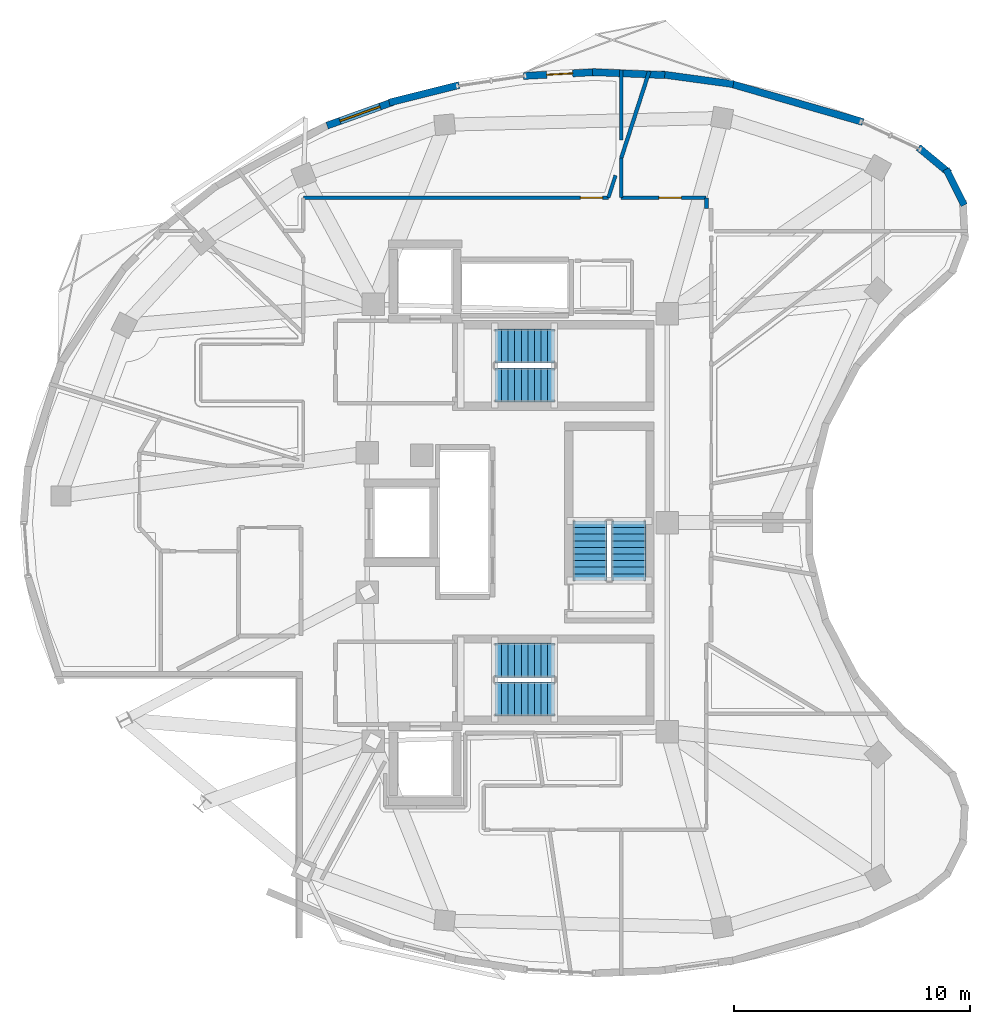
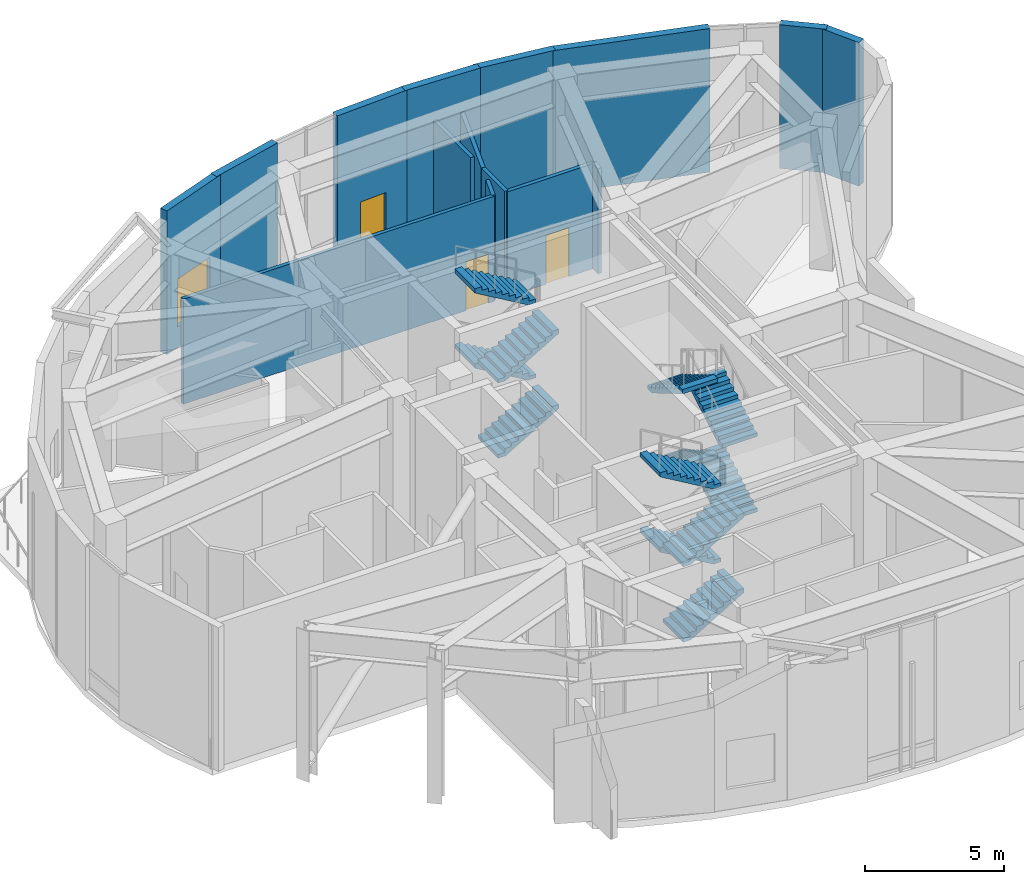
# One storey, part 9 of 12: 15 walls, 12 stair flights, 3 doors, 1 window, 4 openings, 3 elements without a shape of their own.
"""IFC4 building model written with IfcOpenShell, lengths in metres."""

from ifc_helpers import new_model, si_unit, direction, frame, frame_2d, origin, place, context, subcontext, project, spatial, polyline, rectangle, outline, extrude, material, layer, layer_set, type_object, element, fill, aggregate, save


model = new_model("IFC4")

# Units and contexts
model_context = context("Model", 3, precision=1e-05, world=origin(), true_north=direction((0.0, 1.0)))
body_context = subcontext(model_context, "Body", "Model", "MODEL_VIEW")
ifc_project = project(units=[si_unit("LENGTHUNIT", "METRE"), si_unit("AREAUNIT", "SQUARE_METRE"), si_unit("VOLUMEUNIT", "CUBIC_METRE"), si_unit("PLANEANGLEUNIT", "RADIAN"), si_unit("MASSUNIT", "GRAM", prefix="KILO")], contexts=[model_context])

# Site, building, storey
site_placement = place(None, origin())
site = spatial("IfcSite", under=ifc_project, at=site_placement, CompositionType="ELEMENT")
building_placement = place(site_placement, origin())
building = spatial("IfcBuilding", under=site, at=building_placement, Name="Korentha Bioscience Tower", CompositionType="ELEMENT")
storey_placement = place(building_placement, frame((0.0, 0.0, 291.0)))
storey = spatial("IfcBuildingStorey", under=building, at=storey_placement, Name="L67", CompositionType="ELEMENT", Elevation=291.0)

# Wall, opening, door
ifc_material_1 = material(Name="Double-Stud Acoustic Gypsum", Category="gypsum")
ifc_layer_1 = layer(ifc_material_1, 0.14990234375, Name="Double-Stud Acoustic Gypsum")
ifc_layer_set_1 = layer_set([ifc_layer_1], Name="Double-Stud Acoustic Gypsum (IW-L150)")
wall_type_1 = type_object("IfcWallType", Name="Acoustic Laboratory Partition Wall 150", PredefinedType="PARTITIONING", material=ifc_layer_set_1)
wall_1_placement = place(storey_placement, frame((35.057861328125, 40.760009765625, 0.0), z_axis=(0.0, 0.0, 1.0), x_axis=(-1.0, 0.0, 0.0)))
wall_1 = element("IfcWall", 1, at=wall_1_placement, inside=storey, type_object=wall_type_1, Name="L67 Wind-Portal Aerodynamic Viewing Gallery 15 Entrance Wall", PredefinedType="PARTITIONING", context=body_context, shape_type="SweptSolid", body=[
    extrude(rectangle(XDim=12.907958984375, YDim=0.14990234375, at=frame_2d((6.4541015625, 0.0))), origin(), (0.0, 0.0, 1.0), 4.610107421875),
])
opening_1_placement = place(wall_1_placement, frame((0.239990234375, 0.0, 0.0)))
opening_1 = element("IfcOpeningElement", 2, at=opening_1_placement, cuts=wall_1, Name="Opening ID-10R", PredefinedType="OPENING", context=body_context, shape_type="SweptSolid", body=[
    extrude(rectangle(XDim=0.949951171875, YDim=2.14990234375, at=frame_2d((0.47509765625, 1.074951171875))), frame((0.0, 0.08984375, 0.0), z_axis=(0.0, -1.0, 0.0), x_axis=(1.0, 0.0, 0.0)), (0.0, 0.0, 1.0), 0.1796875),
])
ifc_material_2 = material(Name="Phenolic Laminate Timber Core", Category="wood")
door_type_1 = type_object("IfcDoorType", Name="Laboratory Single Leaf Door 950x2150 Right", OperationType="SINGLE_SWING_RIGHT", PredefinedType="DOOR", material=ifc_material_2)
door_1_placement = place(opening_1_placement, origin())
door_1 = element("IfcDoor", 3, at=door_1_placement, inside=storey, type_object=door_type_1, Name="L67 Wind-Portal Aerodynamic Viewing Gallery 15 Door", OperationType="SINGLE_SWING_RIGHT", OverallHeight=2.14990234375, OverallWidth=0.949951171875, PredefinedType="DOOR", context=body_context, shape_type="SweptSolid", body=[
    extrude(rectangle(XDim=0.949951171875, YDim=2.14990234375, at=frame_2d((0.47509765625, 1.074951171875))), frame((0.0, 0.02490234375, 0.0), z_axis=(0.0, -1.0, 0.0), x_axis=(1.0, 0.0, 0.0)), (0.0, 0.0, 1.0), 0.050048828125),
])
fill(opening_1, door_1)

# Walls
wall_2_placement = place(storey_placement, frame((35.597900390625, 46.166015625, 0.0), z_axis=(0.0, 0.0, 1.0), x_axis=(0.0, -1.0, 0.0)))
element("IfcWall", 4, at=wall_2_placement, inside=storey, type_object=wall_type_1, Name="L67 Interior Partition 068", PredefinedType="PARTITIONING", context=body_context, shape_type="SweptSolid", body=[
    extrude(rectangle(XDim=2.96533203125, YDim=0.14990234375, at=frame_2d((1.482666015625, 0.0))), origin(), (0.0, 0.0, 1.0), 4.610107421875),
])
wall_3_placement = place(storey_placement, frame((35.362060546875, 41.701904296875, 0.0), z_axis=(0.0, 0.0, 1.0), x_axis=(-0.307334271647, -0.9516016212, 0.0)))
element("IfcWall", 5, at=wall_3_placement, inside=storey, type_object=wall_type_1, Name="L67 Interior Partition 069", PredefinedType="PARTITIONING", context=body_context, shape_type="SweptSolid", body=[
    extrude(rectangle(XDim=0.98974609375, YDim=0.14990234375, at=frame_2d((0.494873046875, 0.0))), origin(), (0.0, 0.0, 1.0), 4.610107421875),
])

# Wall, opening, door
ifc_material_3 = material(Name="Gypsum-Clad Steel Stud", Category="steel")
ifc_layer_2 = layer(ifc_material_3, 0.159912109375, Name="Gypsum-Clad Steel Stud")
ifc_layer_set_2 = layer_set([ifc_layer_2], Name="Gypsum-Clad Steel Stud (IW-C160)")
wall_type_2 = type_object("IfcWallType", Name="Fire-Rated Corridor Partition Wall 160", PredefinedType="PARTITIONING", material=ifc_layer_set_2)
wall_4_placement = place(storey_placement, frame((39.199951171875, 40.760009765625, 0.0), z_axis=(0.0, 0.0, 1.0), x_axis=(-1.0, 0.0, 0.0)))
wall_4 = element("IfcWall", 6, at=wall_4_placement, inside=storey, type_object=wall_type_2, Name="L67 Instrument Calibration Store 14 Entrance Wall", PredefinedType="PARTITIONING", context=body_context, shape_type="SweptSolid", body=[
    extrude(rectangle(XDim=3.597900390625, YDim=0.159912109375, at=frame_2d((1.798828125, 0.0))), origin(), (0.0, 0.0, 1.0), 4.610107421875),
])
opening_2_placement = place(wall_4_placement, frame((1.050537109375, 0.0, 0.0)))
opening_2 = element("IfcOpeningElement", 7, at=opening_2_placement, cuts=wall_4, Name="Opening ID-10L", PredefinedType="OPENING", context=body_context, shape_type="SweptSolid", body=[
    extrude(rectangle(XDim=0.949951171875, YDim=2.14990234375, at=frame_2d((0.47509765625, 1.074951171875))), frame((0.0, 0.0947265625, 0.0), z_axis=(0.0, -1.0, 0.0), x_axis=(1.0, 0.0, 0.0)), (0.0, 0.0, 1.0), 0.189697265625),
])
door_type_2 = type_object("IfcDoorType", Name="Laboratory Single Leaf Door 950x2150 Left", OperationType="SINGLE_SWING_LEFT", PredefinedType="DOOR", material=ifc_material_2)
door_2_placement = place(opening_2_placement, origin())
door_2 = element("IfcDoor", 8, at=door_2_placement, inside=storey, type_object=door_type_2, Name="L67 Instrument Calibration Store 14 Door", OperationType="SINGLE_SWING_LEFT", OverallHeight=2.14990234375, OverallWidth=0.949951171875, PredefinedType="DOOR", context=body_context, shape_type="SweptSolid", body=[
    extrude(rectangle(XDim=0.949951171875, YDim=2.14990234375, at=frame_2d((0.47509765625, 1.074951171875))), frame((0.0, 0.02490234375, 0.0), z_axis=(0.0, -1.0, 0.0), x_axis=(1.0, 0.0, 0.0)), (0.0, 0.0, 1.0), 0.050048828125),
])
fill(opening_2, door_2)

# Walls
wall_5_placement = place(storey_placement, frame((35.60205078125, 42.43212890625, 0.0), z_axis=(0.0, 0.0, 1.0), x_axis=(0.307338900837, 0.95160012612, 0.0)))
element("IfcWall", 9, at=wall_5_placement, inside=storey, type_object=wall_type_2, Name="L67 Interior Partition 064", PredefinedType="PARTITIONING", context=body_context, shape_type="SweptSolid", body=[
    extrude(rectangle(XDim=3.8623046875, YDim=0.159912109375, at=frame_2d((1.93115234375, 0.0))), origin(), (0.0, 0.0, 1.0), 4.610107421875),
])
wall_6_placement = place(storey_placement, frame((39.2099609375, 40.31005859375, 0.0), z_axis=(0.0, 0.0, 1.0), x_axis=(0.0, 1.0, 0.0)))
element("IfcWall", 10, at=wall_6_placement, inside=storey, type_object=wall_type_2, Name="L67 Interior Partition 066", PredefinedType="PARTITIONING", context=body_context, shape_type="SweptSolid", body=[
    extrude(rectangle(XDim=0.43994140625, YDim=0.159912109375, at=frame_2d((0.219970703125, 0.0))), origin(), (0.0, 0.0, 1.0), 4.610107421875),
])
wall_7_placement = place(storey_placement, frame((35.60205078125, 40.760009765625, 0.0), z_axis=(0.0, 0.0, 1.0), x_axis=(0.0, 1.0, 0.0)))
element("IfcWall", 11, at=wall_7_placement, inside=storey, type_object=wall_type_2, Name="L67 Interior Partition 067", PredefinedType="PARTITIONING", context=body_context, shape_type="SweptSolid", body=[
    extrude(rectangle(XDim=1.671875, YDim=0.159912109375, at=frame_2d((0.8359375, 0.0))), origin(), (0.0, 0.0, 1.0), 4.610107421875),
])
ifc_material_4 = material(Name="Honed Limestone Precast Concrete C40", Category="masonry")
ifc_layer_3 = layer(ifc_material_4, 0.300048828125, Name="Honed Limestone Precast Concrete C40")
ifc_layer_set_3 = layer_set([ifc_layer_3], Name="Honed Limestone Precast Concrete C40 (EW-ST300)")
wall_type_3 = type_object("IfcWallType", Name="Honed Limestone Cavity Spandrel Wall 300", PredefinedType="STANDARD", material=ifc_layer_set_3)
wall_8_placement = place(storey_placement, frame((37.445556640625, 45.9501953125, 0.0), z_axis=(0.0, 0.0, 1.0), x_axis=(-0.999155735102, 0.041083050186, 0.0)))
element("IfcWall", 12, at=wall_8_placement, inside=storey, type_object=wall_type_3, Name="L67 Honed Limestone Spandrel Wall 05", PredefinedType="STANDARD", context=body_context, shape_type="SweptSolid", body=[
    extrude(rectangle(XDim=3.060546875, YDim=0.300048828125, at=frame_2d((1.5302734375, 0.0))), origin(), (0.0, 0.0, 1.0), 6.300048828125),
])

# Wall, opening, door
wall_9_placement = place(storey_placement, frame((34.5224609375, 46.076904296875, 0.0), z_axis=(0.0, 0.0, 1.0), x_axis=(-0.998578313912, -0.053304324252, 0.0)))
wall_9 = element("IfcWall", 13, at=wall_9_placement, inside=storey, type_object=wall_type_3, Name="L67 Balcony Threshold Wall 01", PredefinedType="STANDARD", context=body_context, shape_type="SweptSolid", body=[
    extrude(rectangle(XDim=3.0595703125, YDim=0.300048828125, at=frame_2d((1.52978515625, 0.0))), origin(), (0.0, 0.0, 1.0), 6.300048828125),
])
opening_3_placement = place(wall_9_placement, frame((0.979736328125, 0.0, 0.0)))
opening_3 = element("IfcOpeningElement", 14, at=opening_3_placement, cuts=wall_9, Name="Opening BD-11L", PredefinedType="OPENING", context=body_context, shape_type="SweptSolid", body=[
    extrude(rectangle(XDim=1.10009765625, YDim=2.14990234375, at=frame_2d((0.550048828125, 1.074951171875))), frame((0.0, 0.1650390625, 0.0), z_axis=(0.0, -1.0, 0.0), x_axis=(1.0, 0.0, 0.0)), (0.0, 0.0, 1.0), 0.329833984375),
])
ifc_material_5 = material(Name="Thermally Broken Glazed Aluminium", Category="aluminium")
door_type_3 = type_object("IfcDoorType", Name="Balcony Terrace Glazed Door 1100x2150 Left", OperationType="SINGLE_SWING_LEFT", PredefinedType="DOOR", material=ifc_material_5)
door_3_placement = place(opening_3_placement, origin())
door_3 = element("IfcDoor", 15, at=door_3_placement, inside=storey, type_object=door_type_3, Name="L67 Balcony Access Door 01", OperationType="SINGLE_SWING_LEFT", OverallHeight=2.14990234375, OverallWidth=1.10009765625, PredefinedType="DOOR", context=body_context, shape_type="SweptSolid", body=[
    extrude(rectangle(XDim=1.10009765625, YDim=2.14990234375, at=frame_2d((0.550048828125, 1.074951171875))), frame((0.0, 0.02490234375, 0.0), z_axis=(0.0, -1.0, 0.0), x_axis=(1.0, 0.0, 0.0)), (0.0, 0.0, 1.0), 0.050048828125),
])
fill(opening_3, door_3)

# Wall, opening, window
wall_10_placement = place(storey_placement, frame((25.935302734375, 44.812744140625, 0.0), z_axis=(0.0, 0.0, 1.0), x_axis=(-0.941228252746, -0.337771189169, 0.0)))
wall_10 = element("IfcWall", 16, at=wall_10_placement, inside=storey, type_object=wall_type_3, Name="L67 Honed Limestone Spandrel Wall 09", PredefinedType="STANDARD", context=body_context, shape_type="SweptSolid", body=[
    extrude(rectangle(XDim=2.96337890625, YDim=0.300048828125, at=frame_2d((1.481689453125, 0.0))), origin(), (0.0, 0.0, 1.0), 6.300048828125),
])
opening_4_placement = place(wall_10_placement, frame((0.581787109375, 0.0, 0.89990234375)))
opening_4 = element("IfcOpeningElement", 17, at=opening_4_placement, cuts=wall_10, Name="Opening WN-01", PredefinedType="OPENING", context=body_context, shape_type="SweptSolid", body=[
    extrude(rectangle(XDim=1.800048828125, YDim=2.10009765625, at=frame_2d((0.89990234375, 1.050048828125))), frame((0.0, 0.1650390625, 0.0), z_axis=(0.0, -1.0, 0.0), x_axis=(1.0, 0.0, 0.0)), (0.0, 0.0, 1.0), 0.329833984375),
])
ifc_material_6 = material(Name="Thermally Broken Aluminium Triple Glazing", Category="aluminium")
window_type = type_object("IfcWindowType", Name="Triple-Glazed Fixed Bioscience Window 1800x2100", PartitioningType="SINGLE_PANEL", PredefinedType="WINDOW", material=ifc_material_6)
window_placement = place(opening_4_placement, origin())
window = element("IfcWindow", 18, at=window_placement, inside=storey, type_object=window_type, Name="L67 Facade Window 09", OverallHeight=2.10009765625, OverallWidth=1.800048828125, PartitioningType="SINGLE_PANEL", PredefinedType="WINDOW", context=body_context, shape_type="SweptSolid", body=[
    extrude(rectangle(XDim=1.800048828125, YDim=2.10009765625, at=frame_2d((0.89990234375, 1.050048828125))), frame((0.0, 0.030029296875, 0.0), z_axis=(0.0, -1.0, 0.0), x_axis=(1.0, 0.0, 0.0)), (0.0, 0.0, 1.0), 0.06005859375),
])
fill(opening_4, window)

# Walls
wall_11_placement = place(storey_placement, frame((45.840576171875, 43.964111328125, 0.0), z_axis=(0.0, 0.0, 1.0), x_axis=(-0.960603242608, 0.277923389247, 0.0)))
element("IfcWall", 19, at=wall_11_placement, inside=storey, type_object=wall_type_3, Name="L67 Limestone Perimeter Closure Wall 02", PredefinedType="STANDARD", context=body_context, shape_type="SweptSolid", body=[
    extrude(rectangle(XDim=5.89794921875, YDim=0.300048828125, at=frame_2d((2.948974609375, 0.0))), origin(), (0.0, 0.0, 1.0), 6.300048828125),
])
wall_12_placement = place(storey_placement, frame((40.351318359375, 45.56591796875, 0.0), z_axis=(0.0, 0.0, 1.0), x_axis=(-0.990752495137, 0.135681588211, 0.0)))
element("IfcWall", 20, at=wall_12_placement, inside=storey, type_object=wall_type_3, Name="L67 Limestone Perimeter Closure Wall 04", PredefinedType="STANDARD", context=body_context, shape_type="SweptSolid", body=[
    extrude(rectangle(XDim=3.0859375, YDim=0.300048828125, at=frame_2d((1.54296875, 0.0))), origin(), (0.0, 0.0, 1.0), 6.300048828125),
])
wall_13_placement = place(storey_placement, frame((28.73974609375, 45.528076171875, 0.0), z_axis=(0.0, 0.0, 1.0), x_axis=(-0.970100107053, -0.242705134465, 0.0)))
element("IfcWall", 21, at=wall_13_placement, inside=storey, type_object=wall_type_3, Name="L67 Limestone Perimeter Closure Wall 08", PredefinedType="STANDARD", context=body_context, shape_type="SweptSolid", body=[
    extrude(rectangle(XDim=3.050048828125, YDim=0.300048828125, at=frame_2d((1.52490234375, 0.0))), origin(), (0.0, 0.0, 1.0), 6.300048828125),
])
for number, where, z_axis, x_axis, name in (
    (22, (50.127685546875, 40.444580078125, 0.0), (0.0, 0.0, 1.0), (-0.44870292085, 0.893680977095, 0.0), "L67 Limestone Perimeter Closure Wall 61"),
    (23, (49.49609375, 41.800048828125, 0.0), (0.0, 0.0, 1.0), (-0.769148122421, 0.639070548356, 0.0), "L67 Limestone Perimeter Closure Wall 62"),
):
    element("IfcWall", number, at=place(storey_placement, frame(where, z_axis=z_axis, x_axis=x_axis)), inside=storey, type_object=wall_type_3, Name=name, PredefinedType="STANDARD", context=body_context, shape_type="SweptSolid", body=[
        extrude(rectangle(XDim=1.7041015625, YDim=0.300048828125, at=frame_2d((0.85205078125, 0.0))), origin(), (0.0, 0.0, 1.0), 6.300048828125),
    ])

# Stair, stair flights
ifc_material_7 = material(Name="Precast Concrete C50", Category="concrete")
stair_type = type_object("IfcStairType", Name="Core Exit Dog-Leg Stair 1450", PredefinedType="HALF_TURN_STAIR", material=ifc_material_7)
stair_1_placement = place(storey_placement, origin())
stair_1 = element("IfcStair", 24, at=stair_1_placement, inside=storey, type_object=stair_type, Name="L67 Tower North Pressurized Exit Stair ST-1", PredefinedType="HALF_TURN_STAIR")
stair_flight_type = type_object("IfcStairFlightType", Name="Core Exit Dog-Leg Stair 1450 Flight", PredefinedType="STRAIGHT", material=ifc_material_7)
stair_flight_1_placement = place(storey_placement, frame((30.25, 32.824951171875, 0.0), z_axis=(0.0, 0.0, 1.0), x_axis=(1.0, 0.0, 0.0)))
stair_flight_1 = element("IfcStairFlight", 25, at=stair_flight_1_placement, type_object=stair_flight_type, Name="ST-1 flight 1", NumberOfRisers=10, NumberOfTreads=9, PredefinedType="STRAIGHT", RiserHeight=0.165, TreadLength=0.28, context=body_context, shape_type="SweptSolid", body=[
    extrude(outline(polyline([(0.0, 0.0), (0.0, 0.1650390625), (0.280029296875, 0.1650390625), (0.280029296875, 0.330078125), (0.56005859375, 0.330078125), (0.56005859375, 0.4951171875), (0.840087890625, 0.4951171875), (0.840087890625, 0.659912109375), (1.1201171875, 0.659912109375), (1.1201171875, 0.824951171875), (1.39990234375, 0.824951171875), (1.39990234375, 0.989990234375), (1.679931640625, 0.989990234375), (1.679931640625, 1.155029296875), (1.9599609375, 1.155029296875), (1.9599609375, 1.320068359375), (2.239990234375, 1.320068359375), (2.239990234375, 1.485107421875), (2.52001953125, 1.485107421875), (2.52001953125, 1.64990234375), (2.52001953125, 1.29931640625), (0.31494140625, 0.0), (0.0, 0.0)])), frame((0.0, 0.72509765625, 0.0), z_axis=(0.0, -1.0, 0.0), x_axis=(1.0, 0.0, 0.0)), (0.0, 0.0, 1.0), 1.449951171875),
])
stair_flight_2_placement = place(storey_placement, frame((32.77001953125, 34.47509765625, 1.64990234375), z_axis=(0.0, 0.0, 1.0), x_axis=(-1.0, 0.0, 0.0)))
stair_flight_2 = element("IfcStairFlight", 26, at=stair_flight_2_placement, type_object=stair_flight_type, Name="ST-1 flight 2", NumberOfRisers=10, NumberOfTreads=9, PredefinedType="STRAIGHT", RiserHeight=0.165, TreadLength=0.28, context=body_context, shape_type="SweptSolid", body=[
    extrude(outline(polyline([(0.0, 0.0), (0.0, 0.1650390625), (0.280029296875, 0.1650390625), (0.280029296875, 0.330078125), (0.56005859375, 0.330078125), (0.56005859375, 0.4951171875), (0.840087890625, 0.4951171875), (0.840087890625, 0.659912109375), (1.1201171875, 0.659912109375), (1.1201171875, 0.824951171875), (1.39990234375, 0.824951171875), (1.39990234375, 0.989990234375), (1.679931640625, 0.989990234375), (1.679931640625, 1.155029296875), (1.9599609375, 1.155029296875), (1.9599609375, 1.320068359375), (2.239990234375, 1.320068359375), (2.239990234375, 1.485107421875), (2.52001953125, 1.485107421875), (2.52001953125, 1.64990234375), (2.52001953125, 1.29931640625), (0.31494140625, 0.0), (0.0, 0.0)])), frame((0.0, 0.72509765625, 0.0), z_axis=(0.0, -1.0, 0.0), x_axis=(1.0, 0.0, 0.0)), (0.0, 0.0, 1.0), 1.449951171875),
])
stair_flight_3_placement = place(storey_placement, frame((30.25, 32.824951171875, 3.300048828125), z_axis=(0.0, 0.0, 1.0), x_axis=(1.0, 0.0, 0.0)))
stair_flight_3 = element("IfcStairFlight", 27, at=stair_flight_3_placement, type_object=stair_flight_type, Name="ST-1 flight 3", NumberOfRisers=10, NumberOfTreads=9, PredefinedType="STRAIGHT", RiserHeight=0.165, TreadLength=0.28, context=body_context, shape_type="SweptSolid", body=[
    extrude(outline(polyline([(0.0, 0.0), (0.0, 0.1650390625), (0.280029296875, 0.1650390625), (0.280029296875, 0.330078125), (0.56005859375, 0.330078125), (0.56005859375, 0.4951171875), (0.840087890625, 0.4951171875), (0.840087890625, 0.659912109375), (1.1201171875, 0.659912109375), (1.1201171875, 0.824951171875), (1.39990234375, 0.824951171875), (1.39990234375, 0.989990234375), (1.679931640625, 0.989990234375), (1.679931640625, 1.155029296875), (1.9599609375, 1.155029296875), (1.9599609375, 1.320068359375), (2.239990234375, 1.320068359375), (2.239990234375, 1.485107421875), (2.52001953125, 1.485107421875), (2.52001953125, 1.64990234375), (2.52001953125, 1.29931640625), (0.31494140625, 0.0), (0.0, 0.0)])), frame((0.0, 0.72509765625, 0.0), z_axis=(0.0, -1.0, 0.0), x_axis=(1.0, 0.0, 0.0)), (0.0, 0.0, 1.0), 1.449951171875),
])
stair_flight_4_placement = place(storey_placement, frame((32.77001953125, 34.47509765625, 4.949951171875), z_axis=(0.0, 0.0, 1.0), x_axis=(-1.0, 0.0, 0.0)))
stair_flight_4 = element("IfcStairFlight", 28, at=stair_flight_4_placement, type_object=stair_flight_type, Name="ST-1 flight 4", NumberOfRisers=10, NumberOfTreads=9, PredefinedType="STRAIGHT", RiserHeight=0.165, TreadLength=0.28, context=body_context, shape_type="SweptSolid", body=[
    extrude(outline(polyline([(0.0, 0.0), (0.0, 0.1650390625), (0.280029296875, 0.1650390625), (0.280029296875, 0.330078125), (0.56005859375, 0.330078125), (0.56005859375, 0.4951171875), (0.840087890625, 0.4951171875), (0.840087890625, 0.659912109375), (1.1201171875, 0.659912109375), (1.1201171875, 0.824951171875), (1.39990234375, 0.824951171875), (1.39990234375, 0.989990234375), (1.679931640625, 0.989990234375), (1.679931640625, 1.155029296875), (1.9599609375, 1.155029296875), (1.9599609375, 1.320068359375), (2.239990234375, 1.320068359375), (2.239990234375, 1.485107421875), (2.52001953125, 1.485107421875), (2.52001953125, 1.64990234375), (2.52001953125, 1.29931640625), (0.31494140625, 0.0), (0.0, 0.0)])), frame((0.0, 0.72509765625, 0.0), z_axis=(0.0, -1.0, 0.0), x_axis=(1.0, 0.0, 0.0)), (0.0, 0.0, 1.0), 1.449951171875),
])
aggregate(stair_1, [stair_flight_1, stair_flight_2, stair_flight_3, stair_flight_4])

stair_2_placement = place(storey_placement, origin())
stair_2 = element("IfcStair", 29, at=stair_2_placement, inside=storey, type_object=stair_type, Name="L67 Tower South Pressurized Exit Stair ST-2", PredefinedType="HALF_TURN_STAIR")
stair_flight_5_placement = place(storey_placement, frame((30.25, 19.52490234375, 0.0), z_axis=(0.0, 0.0, 1.0), x_axis=(1.0, 0.0, 0.0)))
stair_flight_5 = element("IfcStairFlight", 30, at=stair_flight_5_placement, type_object=stair_flight_type, Name="ST-2 flight 1", NumberOfRisers=10, NumberOfTreads=9, PredefinedType="STRAIGHT", RiserHeight=0.165, TreadLength=0.28, context=body_context, shape_type="SweptSolid", body=[
    extrude(outline(polyline([(0.0, 0.0), (0.0, 0.1650390625), (0.280029296875, 0.1650390625), (0.280029296875, 0.330078125), (0.56005859375, 0.330078125), (0.56005859375, 0.4951171875), (0.840087890625, 0.4951171875), (0.840087890625, 0.659912109375), (1.1201171875, 0.659912109375), (1.1201171875, 0.824951171875), (1.39990234375, 0.824951171875), (1.39990234375, 0.989990234375), (1.679931640625, 0.989990234375), (1.679931640625, 1.155029296875), (1.9599609375, 1.155029296875), (1.9599609375, 1.320068359375), (2.239990234375, 1.320068359375), (2.239990234375, 1.485107421875), (2.52001953125, 1.485107421875), (2.52001953125, 1.64990234375), (2.52001953125, 1.29931640625), (0.31494140625, 0.0), (0.0, 0.0)])), frame((0.0, 0.72509765625, 0.0), z_axis=(0.0, -1.0, 0.0), x_axis=(1.0, 0.0, 0.0)), (0.0, 0.0, 1.0), 1.449951171875),
])
stair_flight_6_placement = place(storey_placement, frame((32.77001953125, 21.175048828125, 1.64990234375), z_axis=(0.0, 0.0, 1.0), x_axis=(-1.0, 0.0, 0.0)))
stair_flight_6 = element("IfcStairFlight", 31, at=stair_flight_6_placement, type_object=stair_flight_type, Name="ST-2 flight 2", NumberOfRisers=10, NumberOfTreads=9, PredefinedType="STRAIGHT", RiserHeight=0.165, TreadLength=0.28, context=body_context, shape_type="SweptSolid", body=[
    extrude(outline(polyline([(0.0, 0.0), (0.0, 0.1650390625), (0.280029296875, 0.1650390625), (0.280029296875, 0.330078125), (0.56005859375, 0.330078125), (0.56005859375, 0.4951171875), (0.840087890625, 0.4951171875), (0.840087890625, 0.659912109375), (1.1201171875, 0.659912109375), (1.1201171875, 0.824951171875), (1.39990234375, 0.824951171875), (1.39990234375, 0.989990234375), (1.679931640625, 0.989990234375), (1.679931640625, 1.155029296875), (1.9599609375, 1.155029296875), (1.9599609375, 1.320068359375), (2.239990234375, 1.320068359375), (2.239990234375, 1.485107421875), (2.52001953125, 1.485107421875), (2.52001953125, 1.64990234375), (2.52001953125, 1.29931640625), (0.31494140625, 0.0), (0.0, 0.0)])), frame((0.0, 0.72509765625, 0.0), z_axis=(0.0, -1.0, 0.0), x_axis=(1.0, 0.0, 0.0)), (0.0, 0.0, 1.0), 1.449951171875),
])
stair_flight_7_placement = place(storey_placement, frame((30.25, 19.52490234375, 3.300048828125), z_axis=(0.0, 0.0, 1.0), x_axis=(1.0, 0.0, 0.0)))
stair_flight_7 = element("IfcStairFlight", 32, at=stair_flight_7_placement, type_object=stair_flight_type, Name="ST-2 flight 3", NumberOfRisers=10, NumberOfTreads=9, PredefinedType="STRAIGHT", RiserHeight=0.165, TreadLength=0.28, context=body_context, shape_type="SweptSolid", body=[
    extrude(outline(polyline([(0.0, 0.0), (0.0, 0.1650390625), (0.280029296875, 0.1650390625), (0.280029296875, 0.330078125), (0.56005859375, 0.330078125), (0.56005859375, 0.4951171875), (0.840087890625, 0.4951171875), (0.840087890625, 0.659912109375), (1.1201171875, 0.659912109375), (1.1201171875, 0.824951171875), (1.39990234375, 0.824951171875), (1.39990234375, 0.989990234375), (1.679931640625, 0.989990234375), (1.679931640625, 1.155029296875), (1.9599609375, 1.155029296875), (1.9599609375, 1.320068359375), (2.239990234375, 1.320068359375), (2.239990234375, 1.485107421875), (2.52001953125, 1.485107421875), (2.52001953125, 1.64990234375), (2.52001953125, 1.29931640625), (0.31494140625, 0.0), (0.0, 0.0)])), frame((0.0, 0.72509765625, 0.0), z_axis=(0.0, -1.0, 0.0), x_axis=(1.0, 0.0, 0.0)), (0.0, 0.0, 1.0), 1.449951171875),
])
stair_flight_8_placement = place(storey_placement, frame((32.77001953125, 21.175048828125, 4.949951171875), z_axis=(0.0, 0.0, 1.0), x_axis=(-1.0, 0.0, 0.0)))
stair_flight_8 = element("IfcStairFlight", 33, at=stair_flight_8_placement, type_object=stair_flight_type, Name="ST-2 flight 4", NumberOfRisers=10, NumberOfTreads=9, PredefinedType="STRAIGHT", RiserHeight=0.165, TreadLength=0.28, context=body_context, shape_type="SweptSolid", body=[
    extrude(outline(polyline([(0.0, 0.0), (0.0, 0.1650390625), (0.280029296875, 0.1650390625), (0.280029296875, 0.330078125), (0.56005859375, 0.330078125), (0.56005859375, 0.4951171875), (0.840087890625, 0.4951171875), (0.840087890625, 0.659912109375), (1.1201171875, 0.659912109375), (1.1201171875, 0.824951171875), (1.39990234375, 0.824951171875), (1.39990234375, 0.989990234375), (1.679931640625, 0.989990234375), (1.679931640625, 1.155029296875), (1.9599609375, 1.155029296875), (1.9599609375, 1.320068359375), (2.239990234375, 1.320068359375), (2.239990234375, 1.485107421875), (2.52001953125, 1.485107421875), (2.52001953125, 1.64990234375), (2.52001953125, 1.29931640625), (0.31494140625, 0.0), (0.0, 0.0)])), frame((0.0, 0.72509765625, 0.0), z_axis=(0.0, -1.0, 0.0), x_axis=(1.0, 0.0, 0.0)), (0.0, 0.0, 1.0), 1.449951171875),
])
aggregate(stair_2, [stair_flight_5, stair_flight_6, stair_flight_7, stair_flight_8])

stair_3_placement = place(storey_placement, origin())
stair_3 = element("IfcStair", 34, at=stair_3_placement, inside=storey, type_object=stair_type, Name="L67 Tower Central Pressurized Exit Stair ST-3", PredefinedType="HALF_TURN_STAIR")
stair_flight_9_placement = place(storey_placement, frame((35.925048828125, 24.550048828125, 0.0), z_axis=(0.0, 0.0, 1.0), x_axis=(0.0, 1.0, 0.0)))
stair_flight_9 = element("IfcStairFlight", 35, at=stair_flight_9_placement, type_object=stair_flight_type, Name="ST-3 flight 1", NumberOfRisers=10, NumberOfTreads=9, PredefinedType="STRAIGHT", RiserHeight=0.165, TreadLength=0.28, context=body_context, shape_type="SweptSolid", body=[
    extrude(outline(polyline([(0.0, 0.0), (0.0, 0.1650390625), (0.280029296875, 0.1650390625), (0.280029296875, 0.330078125), (0.56005859375, 0.330078125), (0.56005859375, 0.4951171875), (0.840087890625, 0.4951171875), (0.840087890625, 0.659912109375), (1.1201171875, 0.659912109375), (1.1201171875, 0.824951171875), (1.39990234375, 0.824951171875), (1.39990234375, 0.989990234375), (1.679931640625, 0.989990234375), (1.679931640625, 1.155029296875), (1.9599609375, 1.155029296875), (1.9599609375, 1.320068359375), (2.239990234375, 1.320068359375), (2.239990234375, 1.485107421875), (2.52001953125, 1.485107421875), (2.52001953125, 1.64990234375), (2.52001953125, 1.29931640625), (0.31494140625, 0.0), (0.0, 0.0)])), frame((0.0, 0.72509765625, 0.0), z_axis=(0.0, -1.0, 0.0), x_axis=(1.0, 0.0, 0.0)), (0.0, 0.0, 1.0), 1.449951171875),
])
stair_flight_10_placement = place(storey_placement, frame((34.27490234375, 27.070068359375, 1.64990234375), z_axis=(0.0, 0.0, 1.0), x_axis=(0.0, -1.0, 0.0)))
stair_flight_10 = element("IfcStairFlight", 36, at=stair_flight_10_placement, type_object=stair_flight_type, Name="ST-3 flight 2", NumberOfRisers=10, NumberOfTreads=9, PredefinedType="STRAIGHT", RiserHeight=0.165, TreadLength=0.28, context=body_context, shape_type="SweptSolid", body=[
    extrude(outline(polyline([(0.0, 0.0), (0.0, 0.1650390625), (0.280029296875, 0.1650390625), (0.280029296875, 0.330078125), (0.56005859375, 0.330078125), (0.56005859375, 0.4951171875), (0.840087890625, 0.4951171875), (0.840087890625, 0.659912109375), (1.1201171875, 0.659912109375), (1.1201171875, 0.824951171875), (1.39990234375, 0.824951171875), (1.39990234375, 0.989990234375), (1.679931640625, 0.989990234375), (1.679931640625, 1.155029296875), (1.9599609375, 1.155029296875), (1.9599609375, 1.320068359375), (2.239990234375, 1.320068359375), (2.239990234375, 1.485107421875), (2.52001953125, 1.485107421875), (2.52001953125, 1.64990234375), (2.52001953125, 1.29931640625), (0.31494140625, 0.0), (0.0, 0.0)])), frame((0.0, 0.72509765625, 0.0), z_axis=(0.0, -1.0, 0.0), x_axis=(1.0, 0.0, 0.0)), (0.0, 0.0, 1.0), 1.449951171875),
])
stair_flight_11_placement = place(storey_placement, frame((35.925048828125, 24.550048828125, 3.300048828125), z_axis=(0.0, 0.0, 1.0), x_axis=(0.0, 1.0, 0.0)))
stair_flight_11 = element("IfcStairFlight", 37, at=stair_flight_11_placement, type_object=stair_flight_type, Name="ST-3 flight 3", NumberOfRisers=10, NumberOfTreads=9, PredefinedType="STRAIGHT", RiserHeight=0.165, TreadLength=0.28, context=body_context, shape_type="SweptSolid", body=[
    extrude(outline(polyline([(0.0, 0.0), (0.0, 0.1650390625), (0.280029296875, 0.1650390625), (0.280029296875, 0.330078125), (0.56005859375, 0.330078125), (0.56005859375, 0.4951171875), (0.840087890625, 0.4951171875), (0.840087890625, 0.659912109375), (1.1201171875, 0.659912109375), (1.1201171875, 0.824951171875), (1.39990234375, 0.824951171875), (1.39990234375, 0.989990234375), (1.679931640625, 0.989990234375), (1.679931640625, 1.155029296875), (1.9599609375, 1.155029296875), (1.9599609375, 1.320068359375), (2.239990234375, 1.320068359375), (2.239990234375, 1.485107421875), (2.52001953125, 1.485107421875), (2.52001953125, 1.64990234375), (2.52001953125, 1.29931640625), (0.31494140625, 0.0), (0.0, 0.0)])), frame((0.0, 0.72509765625, 0.0), z_axis=(0.0, -1.0, 0.0), x_axis=(1.0, 0.0, 0.0)), (0.0, 0.0, 1.0), 1.449951171875),
])
stair_flight_12_placement = place(storey_placement, frame((34.27490234375, 27.070068359375, 4.949951171875), z_axis=(0.0, 0.0, 1.0), x_axis=(0.0, -1.0, 0.0)))
stair_flight_12 = element("IfcStairFlight", 38, at=stair_flight_12_placement, type_object=stair_flight_type, Name="ST-3 flight 4", NumberOfRisers=10, NumberOfTreads=9, PredefinedType="STRAIGHT", RiserHeight=0.165, TreadLength=0.28, context=body_context, shape_type="SweptSolid", body=[
    extrude(outline(polyline([(0.0, 0.0), (0.0, 0.1650390625), (0.280029296875, 0.1650390625), (0.280029296875, 0.330078125), (0.56005859375, 0.330078125), (0.56005859375, 0.4951171875), (0.840087890625, 0.4951171875), (0.840087890625, 0.659912109375), (1.1201171875, 0.659912109375), (1.1201171875, 0.824951171875), (1.39990234375, 0.824951171875), (1.39990234375, 0.989990234375), (1.679931640625, 0.989990234375), (1.679931640625, 1.155029296875), (1.9599609375, 1.155029296875), (1.9599609375, 1.320068359375), (2.239990234375, 1.320068359375), (2.239990234375, 1.485107421875), (2.52001953125, 1.485107421875), (2.52001953125, 1.64990234375), (2.52001953125, 1.29931640625), (0.31494140625, 0.0), (0.0, 0.0)])), frame((0.0, 0.72509765625, 0.0), z_axis=(0.0, -1.0, 0.0), x_axis=(1.0, 0.0, 0.0)), (0.0, 0.0, 1.0), 1.449951171875),
])
aggregate(stair_3, [stair_flight_9, stair_flight_10, stair_flight_11, stair_flight_12])

save(model, "model.ifc")
